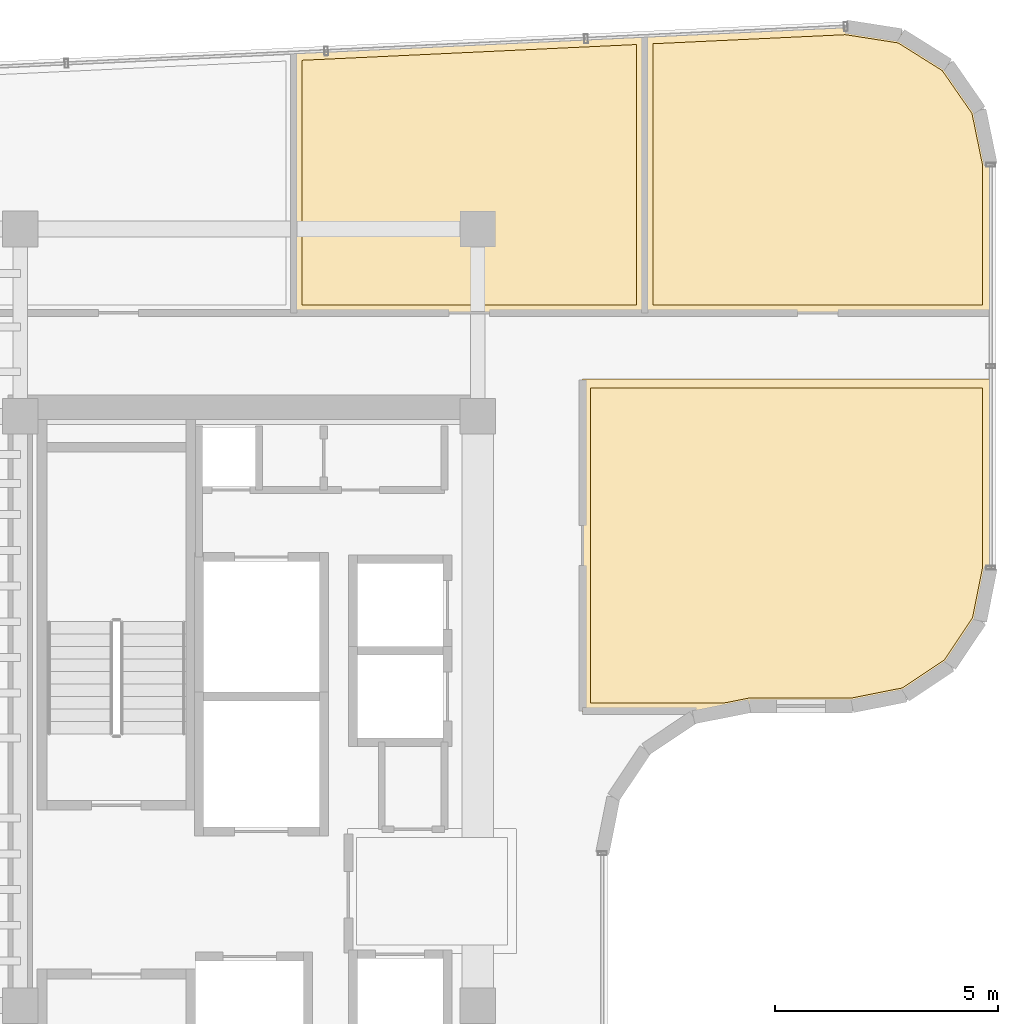
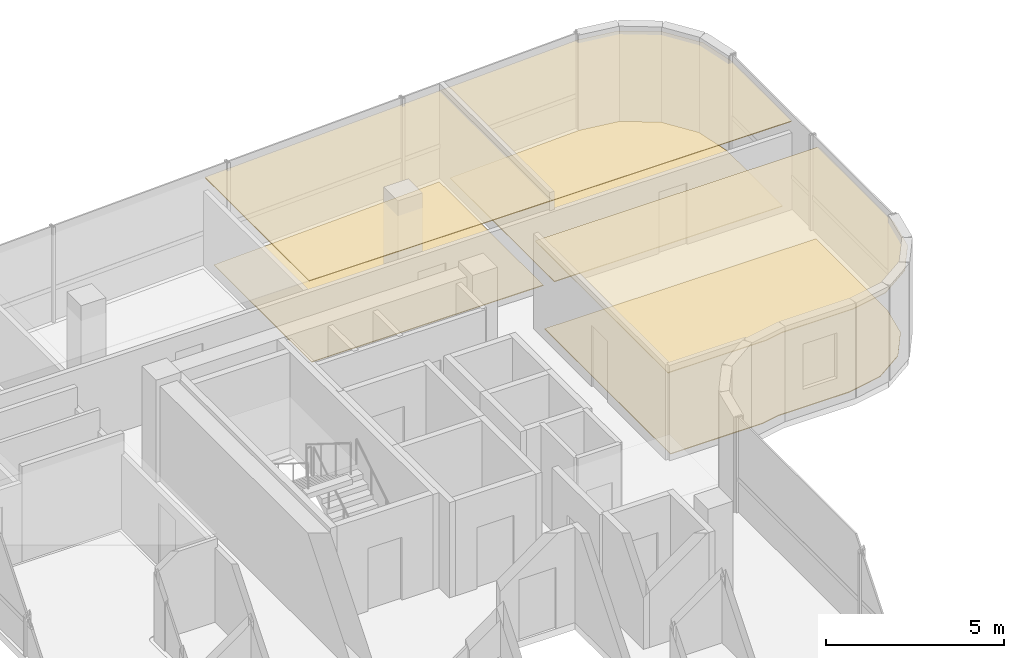
# One storey, part 21 of 21: 6 coverings.
"""IFC4 building model written with IfcOpenShell, lengths in metres."""

from ifc_helpers import new_model, si_unit, direction, frame, origin, place, context, subcontext, project, spatial, polyline, outline, extrude, material, layer, layer_set, type_object, element, save


model = new_model("IFC4")

# Units and contexts
model_context = context("Model", 3, precision=1e-05, world=origin(), true_north=direction((0.0, 1.0)))
body_context = subcontext(model_context, "Body", "Model", "MODEL_VIEW")
ifc_project = project(units=[si_unit("LENGTHUNIT", "METRE"), si_unit("AREAUNIT", "SQUARE_METRE"), si_unit("VOLUMEUNIT", "CUBIC_METRE"), si_unit("PLANEANGLEUNIT", "RADIAN"), si_unit("MASSUNIT", "GRAM", prefix="KILO")], contexts=[model_context])

# Site, building, storey
site_placement = place(None, origin())
site = spatial("IfcSite", under=ifc_project, at=site_placement, CompositionType="ELEMENT")
building_placement = place(site_placement, origin())
building = spatial("IfcBuilding", under=site, at=building_placement, Name="Valdorenza Pilgrim Sanctuary Tower", CompositionType="ELEMENT")
storey_placement = place(building_placement, frame((0.0, 0.0, 254.5)))
storey = spatial("IfcBuildingStorey", under=building, at=storey_placement, Name="L66", CompositionType="ELEMENT", Elevation=254.5)

# Coverings
ifc_material_1 = material(Name="Micro-perforated acoustic mineral ceiling tile", Category="gypsum")
ifc_layer_1 = layer(ifc_material_1, 0.02490234375, Name="Micro-perforated acoustic mineral ceiling tile")
ifc_layer_set_1 = layer_set([ifc_layer_1], Name="Micro-perforated acoustic mineral ceiling tile")
covering_type_1 = type_object("IfcCoveringType", Name="COV-CLG-ACU", PredefinedType="CEILING", material=ifc_layer_set_1)
covering_1_placement = place(storey_placement, frame((0.0, 0.0, 2.9599609375)))
element("IfcCovering", 1, at=covering_1_placement, inside=storey, type_object=covering_type_1, Name="L66 Sanctuary Administration Office L66-N3 Acoustic Ceiling", PredefinedType="CEILING", context=body_context, shape_type="SweptSolid", body=[
    extrude(outline(polyline([(-16.532958984375, 18.748779296875), (-16.532958984375, 18.749755859375), (-16.53271484375, 18.751220703125), (-16.53271484375, 18.752685546875), (-16.531982421875, 18.75390625), (-16.531494140625, 18.75537109375), (-16.531005859375, 18.756591796875), (-16.530029296875, 18.7578125), (-16.529052734375, 18.759033203125), (-16.528076171875, 18.760009765625), (-16.52685546875, 18.760986328125), (-16.525634765625, 18.76171875), (-16.5244140625, 18.762451171875), (-16.52294921875, 18.76318359375), (-16.521484375, 18.763427734375), (-16.520263671875, 18.763916015625), (-16.518798828125, 18.763916015625), (-8.66064453125, 19.134521484375), (-8.6591796875, 19.134521484375), (-8.65771484375, 19.13427734375), (-8.65625, 19.1337890625), (-8.65478515625, 19.133544921875), (-8.6533203125, 19.1328125), (-8.652099609375, 19.132080078125), (-8.65087890625, 19.131103515625), (-8.649658203125, 19.13037109375), (-8.648681640625, 19.129150390625), (-8.647705078125, 19.1279296875), (-8.64697265625, 19.126708984375), (-8.646240234375, 19.125244140625), (-8.645751953125, 19.123779296875), (-8.645263671875, 19.122314453125), (-8.64501953125, 19.120849609375), (-8.64501953125, 19.119384765625), (-8.64501953125, 12.919921875), (-8.64501953125, 12.91845703125), (-8.645263671875, 12.9169921875), (-8.6455078125, 12.91552734375), (-8.64599609375, 12.914306640625), (-8.646728515625, 12.912841796875), (-8.6474609375, 12.91162109375), (-8.6484375, 12.910400390625), (-8.6494140625, 12.909423828125), (-8.650390625, 12.908447265625), (-8.651611328125, 12.907470703125), (-8.65283203125, 12.90673828125), (-8.654296875, 12.906005859375), (-8.655517578125, 12.905517578125), (-8.656982421875, 12.9052734375), (-8.658447265625, 12.905029296875), (-8.659912109375, 12.905029296875), (-16.51806640625, 12.905029296875), (-16.51953125, 12.905029296875), (-16.52099609375, 12.9052734375), (-16.5224609375, 12.905517578125), (-16.523681640625, 12.906005859375), (-16.525146484375, 12.90673828125), (-16.5263671875, 12.907470703125), (-16.527587890625, 12.908447265625), (-16.528564453125, 12.909423828125), (-16.529541015625, 12.910400390625), (-16.530517578125, 12.91162109375), (-16.53125, 12.912841796875), (-16.531982421875, 12.914306640625), (-16.532470703125, 12.91552734375), (-16.53271484375, 12.9169921875), (-16.532958984375, 12.91845703125), (-16.532958984375, 12.919921875), (-16.532958984375, 18.748779296875), (-16.532958984375, 18.748779296875)])), origin(), (0.0, 0.0, 1.0), 0.025146484375),
])
covering_2_placement = place(storey_placement, frame((0.0, 0.0, 2.9599609375)))
element("IfcCovering", 2, at=covering_2_placement, inside=storey, type_object=covering_type_1, Name="L66 Sanctuary Administration Office L66-N4 Acoustic Ceiling", PredefinedType="CEILING", context=body_context, shape_type="SweptSolid", body=[
    extrude(outline(polyline([(-8.673095703125, 19.119384765625), (-8.673095703125, 19.1201171875), (-8.6728515625, 19.12158203125), (-8.672607421875, 19.123046875), (-8.672119140625, 19.12451171875), (-8.671630859375, 19.1259765625), (-8.6708984375, 19.127197265625), (-8.670166015625, 19.12841796875), (-8.669189453125, 19.129638671875), (-8.668212890625, 19.130615234375), (-8.6669921875, 19.131591796875), (-8.665771484375, 19.13232421875), (-8.664306640625, 19.133056640625), (-8.6630859375, 19.133544921875), (-8.66162109375, 19.134033203125), (-8.66015625, 19.13427734375), (-8.65869140625, 19.134521484375), (-4.157470703125, 19.3466796875), (-4.156005859375, 19.3466796875), (-4.154296875, 19.346435546875), (-2.91748046875, 19.153076171875), (-2.916015625, 19.152587890625), (-2.91455078125, 19.15234375), (-2.9130859375, 19.151611328125), (-2.911865234375, 19.15087890625), (-1.860595703125, 18.492431640625), (-1.859619140625, 18.49169921875), (-1.8583984375, 18.490478515625), (-1.857421875, 18.489501953125), (-1.8564453125, 18.48828125), (-1.149169921875, 17.46923828125), (-1.148193359375, 17.468017578125), (-1.147705078125, 17.466552734375), (-1.147216796875, 17.465087890625), (-1.146728515625, 17.463623046875), (-0.895263671875, 16.237548828125), (-0.89501953125, 16.236083984375), (-0.89501953125, 16.234375), (-0.89501953125, 12.919921875), (-0.89501953125, 12.91845703125), (-0.895263671875, 12.9169921875), (-0.8955078125, 12.91552734375), (-0.89599609375, 12.914306640625), (-0.896728515625, 12.912841796875), (-0.8974609375, 12.91162109375), (-0.8984375, 12.910400390625), (-0.8994140625, 12.909423828125), (-0.900390625, 12.908447265625), (-0.901611328125, 12.907470703125), (-0.90283203125, 12.90673828125), (-0.904296875, 12.906005859375), (-0.905517578125, 12.905517578125), (-0.906982421875, 12.9052734375), (-0.908447265625, 12.905029296875), (-0.909912109375, 12.905029296875), (-8.657958984375, 12.905029296875), (-8.659423828125, 12.905029296875), (-8.660888671875, 12.9052734375), (-8.662353515625, 12.905517578125), (-8.663818359375, 12.906005859375), (-8.6650390625, 12.90673828125), (-8.666259765625, 12.907470703125), (-8.66748046875, 12.908447265625), (-8.668701171875, 12.909423828125), (-8.669677734375, 12.910400390625), (-8.67041015625, 12.91162109375), (-8.671142578125, 12.912841796875), (-8.671875, 12.914306640625), (-8.67236328125, 12.91552734375), (-8.672607421875, 12.9169921875), (-8.6728515625, 12.91845703125), (-8.673095703125, 12.919921875), (-8.673095703125, 19.119384765625), (-8.673095703125, 19.119384765625)])), origin(), (0.0, 0.0, 1.0), 0.025146484375),
])
covering_3_placement = place(storey_placement, frame((0.0, 0.0, 2.9599609375)))
element("IfcCovering", 3, at=covering_3_placement, inside=storey, type_object=covering_type_1, Name="L66 Pilgrim Scholar Office L66-E1 Acoustic Ceiling", PredefinedType="CEILING", context=body_context, shape_type="SweptSolid", body=[
    extrude(outline(polyline([(-10.06494140625, 11.419921875), (-10.06494140625, 11.42138671875), (-10.064697265625, 11.4228515625), (-10.064453125, 11.42431640625), (-10.06396484375, 11.42578125), (-10.063232421875, 11.427001953125), (-10.0625, 11.42822265625), (-10.0615234375, 11.429443359375), (-10.060546875, 11.4306640625), (-10.0595703125, 11.431640625), (-10.058349609375, 11.4326171875), (-10.05712890625, 11.43310546875), (-10.0556640625, 11.433837890625), (-10.054443359375, 11.434326171875), (-10.052978515625, 11.434814453125), (-10.051513671875, 11.434814453125), (-10.050048828125, 11.43505859375), (-0.909912109375, 11.43505859375), (-0.908447265625, 11.434814453125), (-0.906982421875, 11.434814453125), (-0.905517578125, 11.434326171875), (-0.904296875, 11.433837890625), (-0.90283203125, 11.43310546875), (-0.901611328125, 11.4326171875), (-0.900390625, 11.431640625), (-0.8994140625, 11.4306640625), (-0.8984375, 11.429443359375), (-0.8974609375, 11.42822265625), (-0.896728515625, 11.427001953125), (-0.89599609375, 11.42578125), (-0.8955078125, 11.42431640625), (-0.895263671875, 11.4228515625), (-0.89501953125, 11.42138671875), (-0.89501953125, 11.419921875), (-0.89501953125, 7.210693359375), (-0.89501953125, 7.20947265625), (-0.895263671875, 7.2080078125), (-1.132568359375, 6.015380859375), (-1.1328125, 6.013916015625), (-1.13330078125, 6.0126953125), (-1.134033203125, 6.01123046875), (-1.134765625, 6.010009765625), (-1.80419921875, 5.00830078125), (-1.804931640625, 5.007080078125), (-1.805908203125, 5.006103515625), (-1.80712890625, 5.0048828125), (-1.808349609375, 5.004150390625), (-2.81005859375, 4.334716796875), (-2.811279296875, 4.333984375), (-2.8125, 4.33349609375), (-2.81396484375, 4.3330078125), (-2.8154296875, 4.33251953125), (-4.0078125, 4.09521484375), (-4.009521484375, 4.09521484375), (-4.0107421875, 4.094970703125), (-6.299560546875, 4.094970703125), (-6.309326171875, 4.094482421875), (-6.31884765625, 4.093017578125), (-6.86083984375, 3.9853515625), (-6.8623046875, 3.985107421875), (-6.86376953125, 3.985107421875), (-10.050048828125, 3.985107421875), (-10.051513671875, 3.985107421875), (-10.052978515625, 3.9853515625), (-10.054443359375, 3.985595703125), (-10.0556640625, 3.986083984375), (-10.05712890625, 3.98681640625), (-10.058349609375, 3.987548828125), (-10.0595703125, 3.98828125), (-10.060546875, 3.989501953125), (-10.0615234375, 3.990478515625), (-10.0625, 3.99169921875), (-10.063232421875, 3.992919921875), (-10.06396484375, 3.994384765625), (-10.064453125, 3.99560546875), (-10.064697265625, 3.9970703125), (-10.06494140625, 3.99853515625), (-10.06494140625, 4.0), (-10.06494140625, 11.419921875)])), origin(), (0.0, 0.0, 1.0), 0.025146484375),
])
ifc_material_2 = material(Name="Honed travertine stone flooring", Category="masonry")
ifc_layer_2 = layer(ifc_material_2, 0.030029296875, Name="Honed travertine stone flooring")
ifc_layer_set_2 = layer_set([ifc_layer_2], Name="Honed travertine stone flooring")
covering_type_2 = type_object("IfcCoveringType", Name="COV-FLR-TRV", PredefinedType="FLOORING", material=ifc_layer_set_2)
covering_4_placement = place(storey_placement, origin())
element("IfcCovering", 4, at=covering_4_placement, inside=storey, type_object=covering_type_2, Name="L66 Sanctuary Administration Office L66-N3 Flooring", PredefinedType="FLOORING", context=body_context, shape_type="SweptSolid", body=[
    extrude(outline(polyline([(-16.337890625, 13.10009765625), (-16.337890625, 18.5771484375), (-8.840087890625, 18.9306640625), (-8.840087890625, 13.10009765625), (-16.337890625, 13.10009765625)])), origin(), (0.0, 0.0, 1.0), 0.02490234375),
])
covering_5_placement = place(storey_placement, origin())
element("IfcCovering", 5, at=covering_5_placement, inside=storey, type_object=covering_type_2, Name="L66 Sanctuary Administration Office L66-N4 Flooring", PredefinedType="FLOORING", context=body_context, shape_type="SweptSolid", body=[
    extrude(outline(polyline([(-4.16650390625, 19.15087890625), (-2.984130859375, 18.966064453125), (-1.99560546875, 18.3466796875), (-1.330322265625, 17.388427734375), (-1.090087890625, 16.21630859375), (-1.090087890625, 13.10009765625), (-8.47802734375, 13.10009765625), (-8.47802734375, 18.94775390625), (-4.16650390625, 19.15087890625)])), origin(), (0.0, 0.0, 1.0), 0.02490234375),
])
covering_6_placement = place(storey_placement, origin())
element("IfcCovering", 6, at=covering_6_placement, inside=storey, type_object=covering_type_2, Name="L66 Pilgrim Scholar Office L66-E1 Flooring", PredefinedType="FLOORING", context=body_context, shape_type="SweptSolid", body=[
    extrude(outline(polyline([(-9.8701171875, 11.239990234375), (-1.090087890625, 11.239990234375), (-1.090087890625, 7.228515625), (-1.31689453125, 6.088623046875), (-1.9462890625, 5.146484375), (-2.888671875, 4.516845703125), (-4.028564453125, 4.2900390625), (-6.300048828125, 4.2900390625), (-6.308837890625, 4.289794921875), (-6.319580078125, 4.289306640625), (-6.337158203125, 4.28759765625), (-6.347900390625, 4.285888671875), (-6.356689453125, 4.284423828125), (-6.881591796875, 4.179931640625), (-9.8701171875, 4.179931640625), (-9.8701171875, 11.239990234375)])), origin(), (0.0, 0.0, 1.0), 0.02490234375),
])

save(model, "model.ifc")
